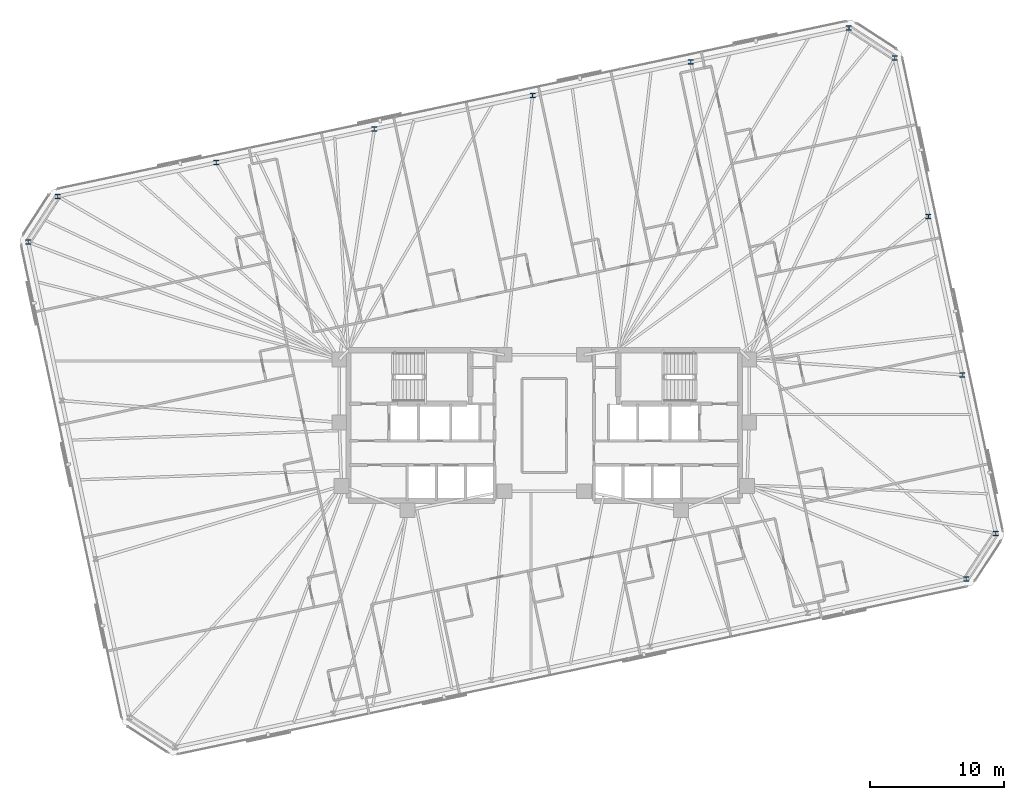
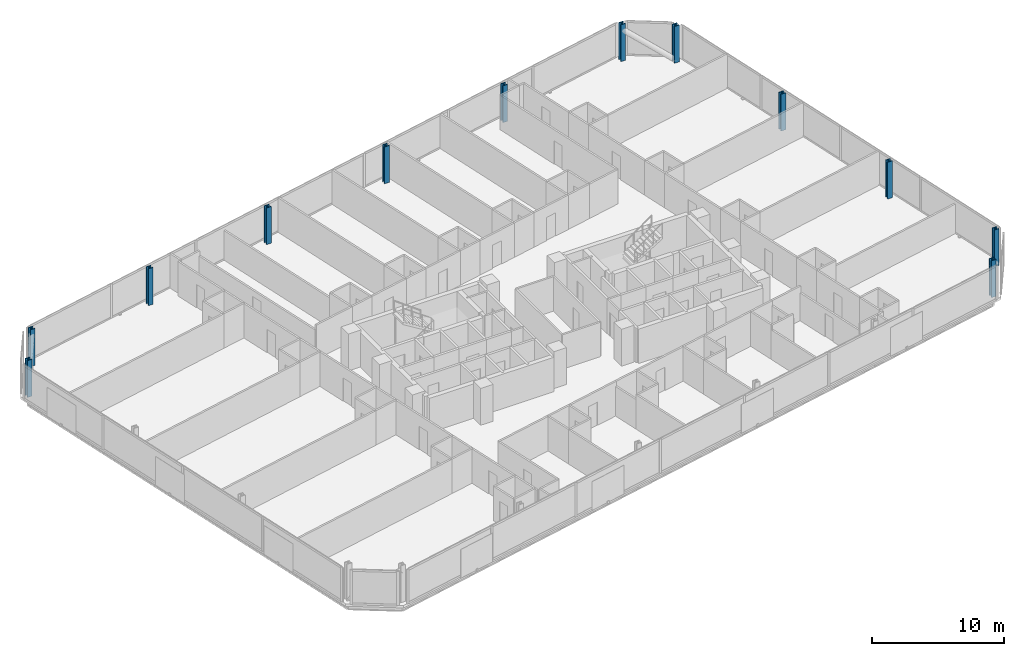
# One storey, part 5 of 20: 12 columns.
"""IFC4 building model written with IfcOpenShell, lengths in metres."""

from ifc_helpers import new_model, si_unit, direction, frame, origin, origin_2d, place, context, subcontext, project, spatial, i_section, extrude, material, material_profile, profile_set, type_object, element, save


model = new_model("IFC4")

# Units and contexts
model_context = context("Model", 3, precision=1e-05, world=origin(), true_north=direction((0.0, 1.0)))
body_context = subcontext(model_context, "Body", "Model", "MODEL_VIEW")
ifc_project = project(units=[si_unit("LENGTHUNIT", "METRE"), si_unit("AREAUNIT", "SQUARE_METRE"), si_unit("VOLUMEUNIT", "CUBIC_METRE"), si_unit("PLANEANGLEUNIT", "RADIAN"), si_unit("MASSUNIT", "GRAM", prefix="KILO")], contexts=[model_context])

# Site, building, storey
site_placement = place(None, origin())
site = spatial("IfcSite", under=ifc_project, at=site_placement, CompositionType="ELEMENT")
building_placement = place(site_placement, origin())
building = spatial("IfcBuilding", under=site, at=building_placement, Name="Menara Jurai Vektor", CompositionType="ELEMENT")
storey_placement = place(building_placement, frame((0.0, 0.0, 158.199951171875)))
storey = spatial("IfcBuildingStorey", under=building, at=storey_placement, Name="L40", CompositionType="ELEMENT", Elevation=158.199951171875)

# Columns
ifc_material = material(Name="Steel S460", Category="steel")
ifc_material_profile = material_profile(ifc_material, i_section(OverallWidth=0.408935546875, OverallDepth=0.3740234375, WebThickness=0.048095703125, FlangeThickness=0.076904296875, FilletRadius=0.014892578125, at=origin_2d()), Name="HD 400x634")
ifc_profile_set = profile_set([ifc_material_profile], Name="Steel S460")
column_type = type_object("IfcColumnType", Name="STR-EXO-BLK3", PredefinedType="COLUMN", material=ifc_profile_set)
for number, where, z_axis, x_axis, name in (
    (1, (31.376220703125, -11.438720703125, 0.0), (0.0, 0.0, 1.0), (1.0, 0.0, 0.0), "Exoskeleton Column BLK3-S6 L40"),
    (2, (33.588623046875, -8.031982421875, 0.0), (0.0, 0.0, 1.0), (1.0, 0.0, 0.0), "Exoskeleton Column BLK3-E1 L40"),
    (3, (31.082763671875, 3.75634765625, 0.0), (0.0, 0.0, 1.0), (1.0, 0.0, 0.0), "Exoskeleton Column BLK3-E2 L40"),
    (4, (28.5771484375, 15.544921875, 0.0), (0.0, 0.0, 1.0), (1.0, 0.0, 0.0), "Exoskeleton Column BLK3-E3 L40"),
    (5, (26.0712890625, 27.33349609375, 0.0), (0.0, 0.0, 1.0), (1.0, 0.0, 0.0), "Exoskeleton Column BLK3-E4 L40"),
    (6, (22.664794921875, 29.545654296875, 0.0), (0.0, 0.0, 1.0), (1.0, 0.0, 0.0), "Exoskeleton Column BLK3-N1 L40"),
    (7, (10.896484375, 27.044189453125, 0.0), (0.0, 0.0, 1.0), (1.0, 0.0, 0.0), "Exoskeleton Column BLK3-N2 L40"),
    (8, (-0.87158203125, 24.54296875, 0.0), (0.0, 0.0, 1.0), (1.0, 0.0, 0.0), "Exoskeleton Column BLK3-N3 L40"),
    (9, (-12.639892578125, 22.04150390625, 0.0), (0.0, 0.0, 1.0), (1.0, 0.0, 0.0), "Exoskeleton Column BLK3-N4 L40"),
    (10, (-24.407958984375, 19.5400390625, 0.0), (0.0, 0.0, 1.0), (1.0, 0.0, 0.0), "Exoskeleton Column BLK3-N5 L40"),
    (11, (-36.17626953125, 17.03857421875, 0.0), (0.0, 0.0, 1.0), (1.0, 0.0, 0.0), "Exoskeleton Column BLK3-N6 L40"),
    (12, (-38.388671875, 13.632080078125, 0.0), (0.0, 0.0, 1.0), (1.0, 0.0, 0.0), "Exoskeleton Column BLK3-W1 L40"),
):
    element("IfcColumn", number, at=place(storey_placement, frame(where, z_axis=z_axis, x_axis=x_axis)), inside=storey, type_object=column_type, Name=name, PredefinedType="COLUMN", context=body_context, shape_type="SweptSolid", body=[
        extrude(i_section(OverallWidth=0.408935546875, OverallDepth=0.3740234375, WebThickness=0.048095703125, FlangeThickness=0.076904296875, FilletRadius=0.014892578125, at=origin_2d()), origin(), (0.0, 0.0, 1.0), 3.400146484375),
    ])

save(model, "model.ifc")
